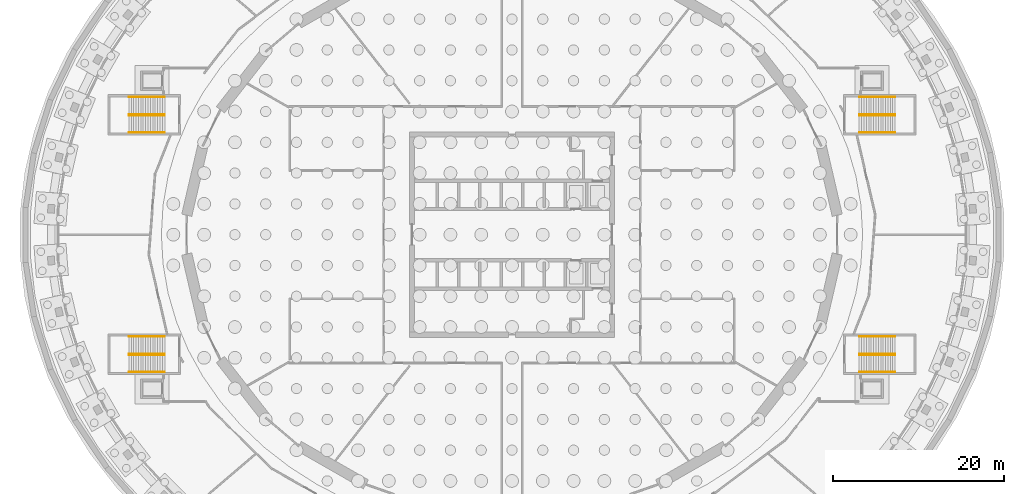
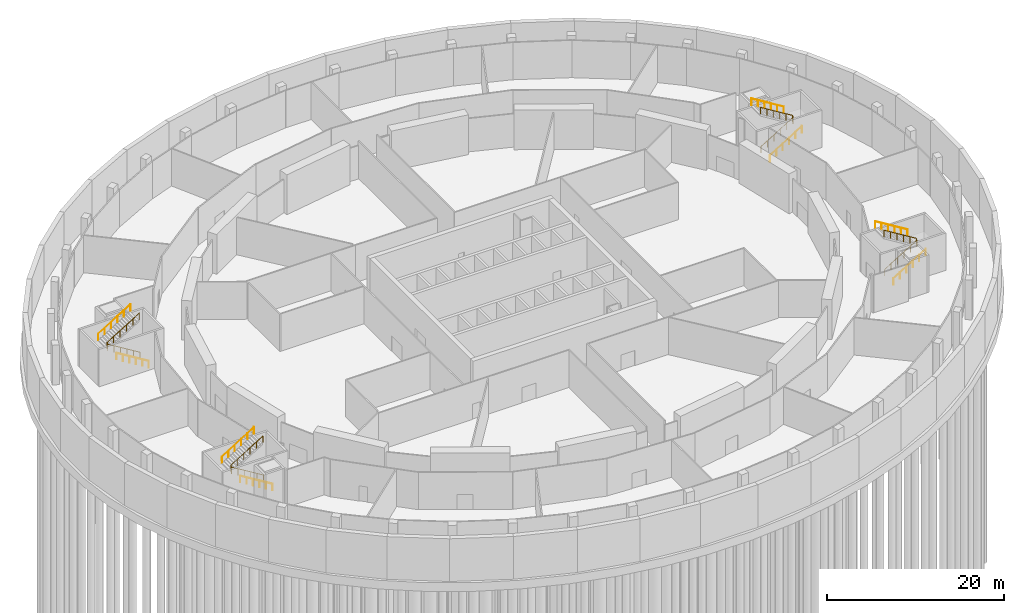
# One storey, part 14 of 15: 12 railings.
"""IFC4 building model written with IfcOpenShell, lengths in metres."""

from ifc_helpers import new_model, si_unit, direction, frame, origin, origin_2d, place, context, subcontext, project, spatial, circle, extrude, material, type_object, element, save


model = new_model("IFC4")

# Units and contexts
model_context = context("Model", 3, precision=1e-05, world=origin(), true_north=direction((0.0, 1.0)))
body_context = subcontext(model_context, "Body", "Model", "MODEL_VIEW")
ifc_project = project(units=[si_unit("LENGTHUNIT", "METRE"), si_unit("AREAUNIT", "SQUARE_METRE"), si_unit("VOLUMEUNIT", "CUBIC_METRE"), si_unit("PLANEANGLEUNIT", "RADIAN"), si_unit("MASSUNIT", "GRAM", prefix="KILO")], contexts=[model_context])

# Site, building, storey
site_placement = place(None, origin())
site = spatial("IfcSite", under=ifc_project, at=site_placement, CompositionType="ELEMENT")
building_placement = place(site_placement, origin())
building = spatial("IfcBuilding", under=site, at=building_placement, Name="Halqa Exchange Tower", CompositionType="ELEMENT")
storey_placement = place(building_placement, frame((0.0, 0.0, -15.0)))
storey = spatial("IfcBuildingStorey", under=building, at=storey_placement, Name="B3", CompositionType="ELEMENT", Elevation=-15.0)

# Railings
ifc_material = material(Name="Stainless steel", Category="steel")
railing_type = type_object("IfcRailingType", Name="Stair handrail 900", PredefinedType="HANDRAIL", material=ifc_material)
railing_1_placement = place(storey_placement, frame((40.60009765625, 13.93505859375, 0.171875)))
element("IfcRailing", 1, at=railing_1_placement, inside=storey, type_object=railing_type, Name="Handrail SS1.1", PredefinedType="HANDRAIL", context=body_context, shape_type="SweptSolid", body=[
    extrude(circle(Radius=0.02392578125, at=origin_2d()), frame((0.0, 0.0, 0.8759765625), z_axis=(0.852242915053, 0.0, 0.523146264196), x_axis=(0.0, 1.0, 0.0)), (0.0, 0.0, 1.0), 4.92822265625),
    extrude(circle(Radius=0.02392578125, at=origin_2d()), frame((4.199951171875, 0.0, 3.4541015625), z_axis=(0.0, 0.602897214173, 0.797818869883), x_axis=(-1.0, 0.0, 0.0)), (0.0, 0.0, 1.0), 0.21533203125),
    extrude(circle(Radius=0.02392578125, at=origin_2d()), frame((4.199951171875, 0.1298828125, 3.6259765625), z_axis=(-0.852242915053, 0.0, 0.523146264196), x_axis=(0.0, -1.0, 0.0)), (0.0, 0.0, 1.0), 4.92822265625),
    extrude(circle(Radius=0.02099609375, at=origin_2d()), origin(), (0.0, 0.0, 1.0), 0.851806640625),
    extrude(circle(Radius=0.02099609375, at=origin_2d()), frame((0.840087890625, 0.0, 0.515625)), (0.0, 0.0, 1.0), 0.851806640625),
    extrude(circle(Radius=0.02099609375, at=origin_2d()), frame((1.679931640625, 0.0, 1.03125)), (0.0, 0.0, 1.0), 0.851806640625),
    extrude(circle(Radius=0.02099609375, at=origin_2d()), frame((2.52001953125, 0.0, 1.546875)), (0.0, 0.0, 1.0), 0.851806640625),
    extrude(circle(Radius=0.02099609375, at=origin_2d()), frame((3.35986328125, 0.0, 2.0625)), (0.0, 0.0, 1.0), 0.851806640625),
    extrude(circle(Radius=0.02099609375, at=origin_2d()), frame((4.199951171875, 0.0, 2.578125)), (0.0, 0.0, 1.0), 0.851806640625),
    extrude(circle(Radius=0.02099609375, at=origin_2d()), frame((4.199951171875, 0.1298828125, 2.75)), (0.0, 0.0, 1.0), 0.851806640625),
    extrude(circle(Radius=0.02099609375, at=origin_2d()), frame((3.35986328125, 0.1298828125, 3.265625)), (0.0, 0.0, 1.0), 0.851806640625),
    extrude(circle(Radius=0.02099609375, at=origin_2d()), frame((2.52001953125, 0.1298828125, 3.78125)), (0.0, 0.0, 1.0), 0.851806640625),
    extrude(circle(Radius=0.02099609375, at=origin_2d()), frame((1.679931640625, 0.1298828125, 4.296875)), (0.0, 0.0, 1.0), 0.851806640625),
    extrude(circle(Radius=0.02099609375, at=origin_2d()), frame((0.840087890625, 0.1298828125, 4.8125)), (0.0, 0.0, 1.0), 0.851806640625),
    extrude(circle(Radius=0.02099609375, at=origin_2d()), frame((0.0, 0.1298828125, 5.328125)), (0.0, 0.0, 1.0), 0.851806640625),
])
railing_2_placement = place(storey_placement, frame((40.60009765625, 11.925048828125, 0.171875)))
element("IfcRailing", 2, at=railing_2_placement, inside=storey, type_object=railing_type, Name="Handrail SS1.2", PredefinedType="HANDRAIL", context=body_context, shape_type="SweptSolid", body=[
    extrude(circle(Radius=0.02392578125, at=origin_2d()), frame((0.0, 0.0, 0.8759765625), z_axis=(0.852242915053, 0.0, 0.523146264196), x_axis=(0.0, 1.0, 0.0)), (0.0, 0.0, 1.0), 4.92822265625),
    extrude(circle(Radius=0.02099609375, at=origin_2d()), origin(), (0.0, 0.0, 1.0), 0.851806640625),
    extrude(circle(Radius=0.02099609375, at=origin_2d()), frame((0.840087890625, 0.0, 0.515625)), (0.0, 0.0, 1.0), 0.851806640625),
    extrude(circle(Radius=0.02099609375, at=origin_2d()), frame((1.679931640625, 0.0, 1.03125)), (0.0, 0.0, 1.0), 0.851806640625),
    extrude(circle(Radius=0.02099609375, at=origin_2d()), frame((2.52001953125, 0.0, 1.546875)), (0.0, 0.0, 1.0), 0.851806640625),
    extrude(circle(Radius=0.02099609375, at=origin_2d()), frame((3.35986328125, 0.0, 2.0625)), (0.0, 0.0, 1.0), 0.851806640625),
    extrude(circle(Radius=0.02099609375, at=origin_2d()), frame((4.199951171875, 0.0, 2.578125)), (0.0, 0.0, 1.0), 0.851806640625),
])
railing_3_placement = place(storey_placement, frame((44.800048828125, 16.074951171875, 2.921875)))
element("IfcRailing", 3, at=railing_3_placement, inside=storey, type_object=railing_type, Name="Handrail SS1.3", PredefinedType="HANDRAIL", context=body_context, shape_type="SweptSolid", body=[
    extrude(circle(Radius=0.02392578125, at=origin_2d()), frame((0.0, 0.0, 0.8759765625), z_axis=(-0.852242915053, 0.0, 0.523146264196), x_axis=(0.0, -1.0, 0.0)), (0.0, 0.0, 1.0), 4.92822265625),
    extrude(circle(Radius=0.02099609375, at=origin_2d()), origin(), (0.0, 0.0, 1.0), 0.851806640625),
    extrude(circle(Radius=0.02099609375, at=origin_2d()), frame((-0.840087890625, 0.0, 0.515625)), (0.0, 0.0, 1.0), 0.851806640625),
    extrude(circle(Radius=0.02099609375, at=origin_2d()), frame((-1.679931640625, 0.0, 1.03125)), (0.0, 0.0, 1.0), 0.851806640625),
    extrude(circle(Radius=0.02099609375, at=origin_2d()), frame((-2.52001953125, 0.0, 1.546875)), (0.0, 0.0, 1.0), 0.851806640625),
    extrude(circle(Radius=0.02099609375, at=origin_2d()), frame((-3.35986328125, 0.0, 2.0625)), (0.0, 0.0, 1.0), 0.851806640625),
    extrude(circle(Radius=0.02099609375, at=origin_2d()), frame((-4.199951171875, 0.0, 2.578125)), (0.0, 0.0, 1.0), 0.851806640625),
])
railing_4_placement = place(storey_placement, frame((40.60009765625, -14.06494140625, 0.171875)))
element("IfcRailing", 4, at=railing_4_placement, inside=storey, type_object=railing_type, Name="Handrail SS2.1", PredefinedType="HANDRAIL", context=body_context, shape_type="SweptSolid", body=[
    extrude(circle(Radius=0.02392578125, at=origin_2d()), frame((0.0, 0.0, 0.8759765625), z_axis=(0.852242915053, 0.0, 0.523146264196), x_axis=(0.0, 1.0, 0.0)), (0.0, 0.0, 1.0), 4.92822265625),
    extrude(circle(Radius=0.02392578125, at=origin_2d()), frame((4.199951171875, 0.0, 3.4541015625), z_axis=(0.0, 0.602897214173, 0.797818869883), x_axis=(-1.0, 0.0, 0.0)), (0.0, 0.0, 1.0), 0.21533203125),
    extrude(circle(Radius=0.02392578125, at=origin_2d()), frame((4.199951171875, 0.1298828125, 3.6259765625), z_axis=(-0.852242915053, 0.0, 0.523146264196), x_axis=(0.0, -1.0, 0.0)), (0.0, 0.0, 1.0), 4.92822265625),
    extrude(circle(Radius=0.02099609375, at=origin_2d()), origin(), (0.0, 0.0, 1.0), 0.851806640625),
    extrude(circle(Radius=0.02099609375, at=origin_2d()), frame((0.840087890625, 0.0, 0.515625)), (0.0, 0.0, 1.0), 0.851806640625),
    extrude(circle(Radius=0.02099609375, at=origin_2d()), frame((1.679931640625, 0.0, 1.03125)), (0.0, 0.0, 1.0), 0.851806640625),
    extrude(circle(Radius=0.02099609375, at=origin_2d()), frame((2.52001953125, 0.0, 1.546875)), (0.0, 0.0, 1.0), 0.851806640625),
    extrude(circle(Radius=0.02099609375, at=origin_2d()), frame((3.35986328125, 0.0, 2.0625)), (0.0, 0.0, 1.0), 0.851806640625),
    extrude(circle(Radius=0.02099609375, at=origin_2d()), frame((4.199951171875, 0.0, 2.578125)), (0.0, 0.0, 1.0), 0.851806640625),
    extrude(circle(Radius=0.02099609375, at=origin_2d()), frame((4.199951171875, 0.1298828125, 2.75)), (0.0, 0.0, 1.0), 0.851806640625),
    extrude(circle(Radius=0.02099609375, at=origin_2d()), frame((3.35986328125, 0.1298828125, 3.265625)), (0.0, 0.0, 1.0), 0.851806640625),
    extrude(circle(Radius=0.02099609375, at=origin_2d()), frame((2.52001953125, 0.1298828125, 3.78125)), (0.0, 0.0, 1.0), 0.851806640625),
    extrude(circle(Radius=0.02099609375, at=origin_2d()), frame((1.679931640625, 0.1298828125, 4.296875)), (0.0, 0.0, 1.0), 0.851806640625),
    extrude(circle(Radius=0.02099609375, at=origin_2d()), frame((0.840087890625, 0.1298828125, 4.8125)), (0.0, 0.0, 1.0), 0.851806640625),
    extrude(circle(Radius=0.02099609375, at=origin_2d()), frame((0.0, 0.1298828125, 5.328125)), (0.0, 0.0, 1.0), 0.851806640625),
])
railing_5_placement = place(storey_placement, frame((40.60009765625, -16.074951171875, 0.171875)))
element("IfcRailing", 5, at=railing_5_placement, inside=storey, type_object=railing_type, Name="Handrail SS2.2", PredefinedType="HANDRAIL", context=body_context, shape_type="SweptSolid", body=[
    extrude(circle(Radius=0.02392578125, at=origin_2d()), frame((0.0, 0.0, 0.8759765625), z_axis=(0.852242915053, 0.0, 0.523146264196), x_axis=(0.0, 1.0, 0.0)), (0.0, 0.0, 1.0), 4.92822265625),
    extrude(circle(Radius=0.02099609375, at=origin_2d()), origin(), (0.0, 0.0, 1.0), 0.851806640625),
    extrude(circle(Radius=0.02099609375, at=origin_2d()), frame((0.840087890625, 0.0, 0.515625)), (0.0, 0.0, 1.0), 0.851806640625),
    extrude(circle(Radius=0.02099609375, at=origin_2d()), frame((1.679931640625, 0.0, 1.03125)), (0.0, 0.0, 1.0), 0.851806640625),
    extrude(circle(Radius=0.02099609375, at=origin_2d()), frame((2.52001953125, 0.0, 1.546875)), (0.0, 0.0, 1.0), 0.851806640625),
    extrude(circle(Radius=0.02099609375, at=origin_2d()), frame((3.35986328125, 0.0, 2.0625)), (0.0, 0.0, 1.0), 0.851806640625),
    extrude(circle(Radius=0.02099609375, at=origin_2d()), frame((4.199951171875, 0.0, 2.578125)), (0.0, 0.0, 1.0), 0.851806640625),
])
railing_6_placement = place(storey_placement, frame((44.800048828125, -11.925048828125, 2.921875)))
element("IfcRailing", 6, at=railing_6_placement, inside=storey, type_object=railing_type, Name="Handrail SS2.3", PredefinedType="HANDRAIL", context=body_context, shape_type="SweptSolid", body=[
    extrude(circle(Radius=0.02392578125, at=origin_2d()), frame((0.0, 0.0, 0.8759765625), z_axis=(-0.852242915053, 0.0, 0.523146264196), x_axis=(0.0, -1.0, 0.0)), (0.0, 0.0, 1.0), 4.92822265625),
    extrude(circle(Radius=0.02099609375, at=origin_2d()), origin(), (0.0, 0.0, 1.0), 0.851806640625),
    extrude(circle(Radius=0.02099609375, at=origin_2d()), frame((-0.840087890625, 0.0, 0.515625)), (0.0, 0.0, 1.0), 0.851806640625),
    extrude(circle(Radius=0.02099609375, at=origin_2d()), frame((-1.679931640625, 0.0, 1.03125)), (0.0, 0.0, 1.0), 0.851806640625),
    extrude(circle(Radius=0.02099609375, at=origin_2d()), frame((-2.52001953125, 0.0, 1.546875)), (0.0, 0.0, 1.0), 0.851806640625),
    extrude(circle(Radius=0.02099609375, at=origin_2d()), frame((-3.35986328125, 0.0, 2.0625)), (0.0, 0.0, 1.0), 0.851806640625),
    extrude(circle(Radius=0.02099609375, at=origin_2d()), frame((-4.199951171875, 0.0, 2.578125)), (0.0, 0.0, 1.0), 0.851806640625),
])
railing_7_placement = place(storey_placement, frame((-40.60009765625, 13.93505859375, 0.171875)))
element("IfcRailing", 7, at=railing_7_placement, inside=storey, type_object=railing_type, Name="Handrail SS3.1", PredefinedType="HANDRAIL", context=body_context, shape_type="SweptSolid", body=[
    extrude(circle(Radius=0.02392578125, at=origin_2d()), frame((0.0, 0.0, 0.8759765625), z_axis=(-0.852242915053, 0.0, 0.523146264196), x_axis=(0.0, -1.0, 0.0)), (0.0, 0.0, 1.0), 4.92822265625),
    extrude(circle(Radius=0.02392578125, at=origin_2d()), frame((-4.199951171875, 0.0, 3.4541015625), z_axis=(0.0, 0.602897214173, 0.797818869883), x_axis=(-1.0, 0.0, 0.0)), (0.0, 0.0, 1.0), 0.21533203125),
    extrude(circle(Radius=0.02392578125, at=origin_2d()), frame((-4.199951171875, 0.1298828125, 3.6259765625), z_axis=(0.852242915053, 0.0, 0.523146264196), x_axis=(0.0, 1.0, 0.0)), (0.0, 0.0, 1.0), 4.92822265625),
    extrude(circle(Radius=0.02099609375, at=origin_2d()), origin(), (0.0, 0.0, 1.0), 0.851806640625),
    extrude(circle(Radius=0.02099609375, at=origin_2d()), frame((-0.840087890625, 0.0, 0.515625)), (0.0, 0.0, 1.0), 0.851806640625),
    extrude(circle(Radius=0.02099609375, at=origin_2d()), frame((-1.679931640625, 0.0, 1.03125)), (0.0, 0.0, 1.0), 0.851806640625),
    extrude(circle(Radius=0.02099609375, at=origin_2d()), frame((-2.52001953125, 0.0, 1.546875)), (0.0, 0.0, 1.0), 0.851806640625),
    extrude(circle(Radius=0.02099609375, at=origin_2d()), frame((-3.35986328125, 0.0, 2.0625)), (0.0, 0.0, 1.0), 0.851806640625),
    extrude(circle(Radius=0.02099609375, at=origin_2d()), frame((-4.199951171875, 0.0, 2.578125)), (0.0, 0.0, 1.0), 0.851806640625),
    extrude(circle(Radius=0.02099609375, at=origin_2d()), frame((-4.199951171875, 0.1298828125, 2.75)), (0.0, 0.0, 1.0), 0.851806640625),
    extrude(circle(Radius=0.02099609375, at=origin_2d()), frame((-3.35986328125, 0.1298828125, 3.265625)), (0.0, 0.0, 1.0), 0.851806640625),
    extrude(circle(Radius=0.02099609375, at=origin_2d()), frame((-2.52001953125, 0.1298828125, 3.78125)), (0.0, 0.0, 1.0), 0.851806640625),
    extrude(circle(Radius=0.02099609375, at=origin_2d()), frame((-1.679931640625, 0.1298828125, 4.296875)), (0.0, 0.0, 1.0), 0.851806640625),
    extrude(circle(Radius=0.02099609375, at=origin_2d()), frame((-0.840087890625, 0.1298828125, 4.8125)), (0.0, 0.0, 1.0), 0.851806640625),
    extrude(circle(Radius=0.02099609375, at=origin_2d()), frame((0.0, 0.1298828125, 5.328125)), (0.0, 0.0, 1.0), 0.851806640625),
])
railing_8_placement = place(storey_placement, frame((-40.60009765625, 11.925048828125, 0.171875)))
element("IfcRailing", 8, at=railing_8_placement, inside=storey, type_object=railing_type, Name="Handrail SS3.2", PredefinedType="HANDRAIL", context=body_context, shape_type="SweptSolid", body=[
    extrude(circle(Radius=0.02392578125, at=origin_2d()), frame((0.0, 0.0, 0.8759765625), z_axis=(-0.852242915053, 0.0, 0.523146264196), x_axis=(0.0, -1.0, 0.0)), (0.0, 0.0, 1.0), 4.92822265625),
    extrude(circle(Radius=0.02099609375, at=origin_2d()), origin(), (0.0, 0.0, 1.0), 0.851806640625),
    extrude(circle(Radius=0.02099609375, at=origin_2d()), frame((-0.840087890625, 0.0, 0.515625)), (0.0, 0.0, 1.0), 0.851806640625),
    extrude(circle(Radius=0.02099609375, at=origin_2d()), frame((-1.679931640625, 0.0, 1.03125)), (0.0, 0.0, 1.0), 0.851806640625),
    extrude(circle(Radius=0.02099609375, at=origin_2d()), frame((-2.52001953125, 0.0, 1.546875)), (0.0, 0.0, 1.0), 0.851806640625),
    extrude(circle(Radius=0.02099609375, at=origin_2d()), frame((-3.35986328125, 0.0, 2.0625)), (0.0, 0.0, 1.0), 0.851806640625),
    extrude(circle(Radius=0.02099609375, at=origin_2d()), frame((-4.199951171875, 0.0, 2.578125)), (0.0, 0.0, 1.0), 0.851806640625),
])
railing_9_placement = place(storey_placement, frame((-44.800048828125, 16.074951171875, 2.921875)))
element("IfcRailing", 9, at=railing_9_placement, inside=storey, type_object=railing_type, Name="Handrail SS3.3", PredefinedType="HANDRAIL", context=body_context, shape_type="SweptSolid", body=[
    extrude(circle(Radius=0.02392578125, at=origin_2d()), frame((0.0, 0.0, 0.8759765625), z_axis=(0.852242915053, 0.0, 0.523146264196), x_axis=(0.0, 1.0, 0.0)), (0.0, 0.0, 1.0), 4.92822265625),
    extrude(circle(Radius=0.02099609375, at=origin_2d()), origin(), (0.0, 0.0, 1.0), 0.851806640625),
    extrude(circle(Radius=0.02099609375, at=origin_2d()), frame((0.840087890625, 0.0, 0.515625)), (0.0, 0.0, 1.0), 0.851806640625),
    extrude(circle(Radius=0.02099609375, at=origin_2d()), frame((1.679931640625, 0.0, 1.03125)), (0.0, 0.0, 1.0), 0.851806640625),
    extrude(circle(Radius=0.02099609375, at=origin_2d()), frame((2.52001953125, 0.0, 1.546875)), (0.0, 0.0, 1.0), 0.851806640625),
    extrude(circle(Radius=0.02099609375, at=origin_2d()), frame((3.35986328125, 0.0, 2.0625)), (0.0, 0.0, 1.0), 0.851806640625),
    extrude(circle(Radius=0.02099609375, at=origin_2d()), frame((4.199951171875, 0.0, 2.578125)), (0.0, 0.0, 1.0), 0.851806640625),
])
railing_10_placement = place(storey_placement, frame((-40.60009765625, -14.06494140625, 0.171875)))
element("IfcRailing", 10, at=railing_10_placement, inside=storey, type_object=railing_type, Name="Handrail SS4.1", PredefinedType="HANDRAIL", context=body_context, shape_type="SweptSolid", body=[
    extrude(circle(Radius=0.02392578125, at=origin_2d()), frame((0.0, 0.0, 0.8759765625), z_axis=(-0.852242915053, 0.0, 0.523146264196), x_axis=(0.0, -1.0, 0.0)), (0.0, 0.0, 1.0), 4.92822265625),
    extrude(circle(Radius=0.02392578125, at=origin_2d()), frame((-4.199951171875, 0.0, 3.4541015625), z_axis=(0.0, 0.602897214173, 0.797818869883), x_axis=(-1.0, 0.0, 0.0)), (0.0, 0.0, 1.0), 0.21533203125),
    extrude(circle(Radius=0.02392578125, at=origin_2d()), frame((-4.199951171875, 0.1298828125, 3.6259765625), z_axis=(0.852242915053, 0.0, 0.523146264196), x_axis=(0.0, 1.0, 0.0)), (0.0, 0.0, 1.0), 4.92822265625),
    extrude(circle(Radius=0.02099609375, at=origin_2d()), origin(), (0.0, 0.0, 1.0), 0.851806640625),
    extrude(circle(Radius=0.02099609375, at=origin_2d()), frame((-0.840087890625, 0.0, 0.515625)), (0.0, 0.0, 1.0), 0.851806640625),
    extrude(circle(Radius=0.02099609375, at=origin_2d()), frame((-1.679931640625, 0.0, 1.03125)), (0.0, 0.0, 1.0), 0.851806640625),
    extrude(circle(Radius=0.02099609375, at=origin_2d()), frame((-2.52001953125, 0.0, 1.546875)), (0.0, 0.0, 1.0), 0.851806640625),
    extrude(circle(Radius=0.02099609375, at=origin_2d()), frame((-3.35986328125, 0.0, 2.0625)), (0.0, 0.0, 1.0), 0.851806640625),
    extrude(circle(Radius=0.02099609375, at=origin_2d()), frame((-4.199951171875, 0.0, 2.578125)), (0.0, 0.0, 1.0), 0.851806640625),
    extrude(circle(Radius=0.02099609375, at=origin_2d()), frame((-4.199951171875, 0.1298828125, 2.75)), (0.0, 0.0, 1.0), 0.851806640625),
    extrude(circle(Radius=0.02099609375, at=origin_2d()), frame((-3.35986328125, 0.1298828125, 3.265625)), (0.0, 0.0, 1.0), 0.851806640625),
    extrude(circle(Radius=0.02099609375, at=origin_2d()), frame((-2.52001953125, 0.1298828125, 3.78125)), (0.0, 0.0, 1.0), 0.851806640625),
    extrude(circle(Radius=0.02099609375, at=origin_2d()), frame((-1.679931640625, 0.1298828125, 4.296875)), (0.0, 0.0, 1.0), 0.851806640625),
    extrude(circle(Radius=0.02099609375, at=origin_2d()), frame((-0.840087890625, 0.1298828125, 4.8125)), (0.0, 0.0, 1.0), 0.851806640625),
    extrude(circle(Radius=0.02099609375, at=origin_2d()), frame((0.0, 0.1298828125, 5.328125)), (0.0, 0.0, 1.0), 0.851806640625),
])
railing_11_placement = place(storey_placement, frame((-40.60009765625, -16.074951171875, 0.171875)))
element("IfcRailing", 11, at=railing_11_placement, inside=storey, type_object=railing_type, Name="Handrail SS4.2", PredefinedType="HANDRAIL", context=body_context, shape_type="SweptSolid", body=[
    extrude(circle(Radius=0.02392578125, at=origin_2d()), frame((0.0, 0.0, 0.8759765625), z_axis=(-0.852242915053, 0.0, 0.523146264196), x_axis=(0.0, -1.0, 0.0)), (0.0, 0.0, 1.0), 4.92822265625),
    extrude(circle(Radius=0.02099609375, at=origin_2d()), origin(), (0.0, 0.0, 1.0), 0.851806640625),
    extrude(circle(Radius=0.02099609375, at=origin_2d()), frame((-0.840087890625, 0.0, 0.515625)), (0.0, 0.0, 1.0), 0.851806640625),
    extrude(circle(Radius=0.02099609375, at=origin_2d()), frame((-1.679931640625, 0.0, 1.03125)), (0.0, 0.0, 1.0), 0.851806640625),
    extrude(circle(Radius=0.02099609375, at=origin_2d()), frame((-2.52001953125, 0.0, 1.546875)), (0.0, 0.0, 1.0), 0.851806640625),
    extrude(circle(Radius=0.02099609375, at=origin_2d()), frame((-3.35986328125, 0.0, 2.0625)), (0.0, 0.0, 1.0), 0.851806640625),
    extrude(circle(Radius=0.02099609375, at=origin_2d()), frame((-4.199951171875, 0.0, 2.578125)), (0.0, 0.0, 1.0), 0.851806640625),
])
railing_12_placement = place(storey_placement, frame((-44.800048828125, -11.925048828125, 2.921875)))
element("IfcRailing", 12, at=railing_12_placement, inside=storey, type_object=railing_type, Name="Handrail SS4.3", PredefinedType="HANDRAIL", context=body_context, shape_type="SweptSolid", body=[
    extrude(circle(Radius=0.02392578125, at=origin_2d()), frame((0.0, 0.0, 0.8759765625), z_axis=(0.852242915053, 0.0, 0.523146264196), x_axis=(0.0, 1.0, 0.0)), (0.0, 0.0, 1.0), 4.92822265625),
    extrude(circle(Radius=0.02099609375, at=origin_2d()), origin(), (0.0, 0.0, 1.0), 0.851806640625),
    extrude(circle(Radius=0.02099609375, at=origin_2d()), frame((0.840087890625, 0.0, 0.515625)), (0.0, 0.0, 1.0), 0.851806640625),
    extrude(circle(Radius=0.02099609375, at=origin_2d()), frame((1.679931640625, 0.0, 1.03125)), (0.0, 0.0, 1.0), 0.851806640625),
    extrude(circle(Radius=0.02099609375, at=origin_2d()), frame((2.52001953125, 0.0, 1.546875)), (0.0, 0.0, 1.0), 0.851806640625),
    extrude(circle(Radius=0.02099609375, at=origin_2d()), frame((3.35986328125, 0.0, 2.0625)), (0.0, 0.0, 1.0), 0.851806640625),
    extrude(circle(Radius=0.02099609375, at=origin_2d()), frame((4.199951171875, 0.0, 2.578125)), (0.0, 0.0, 1.0), 0.851806640625),
])

save(model, "model.ifc")
